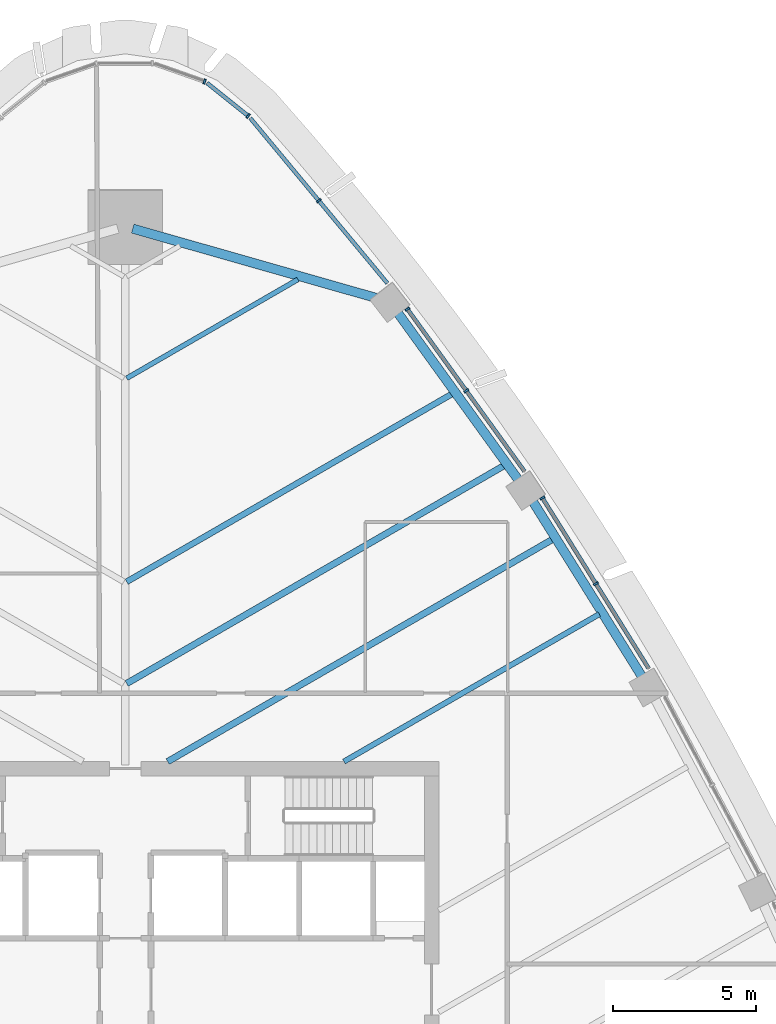
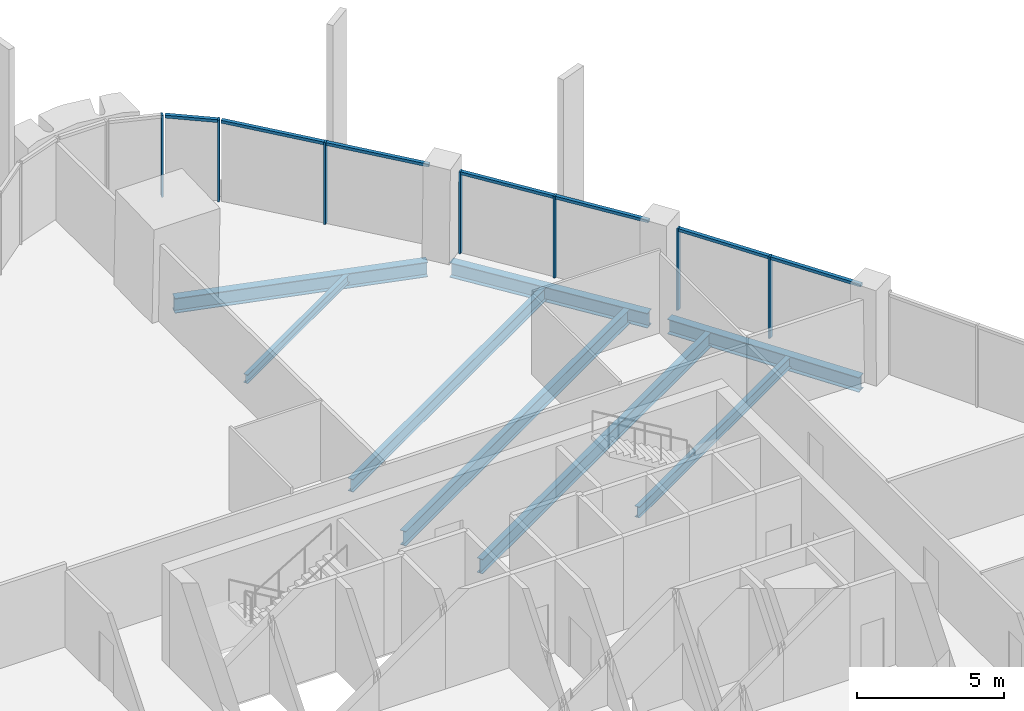
# One storey, part 7 of 19: 14 members, 8 beams, 5 elements without a shape of their own.
"""IFC4 building model written with IfcOpenShell, lengths in metres."""

from ifc_helpers import new_model, si_unit, direction, frame, origin, origin_2d, place, context, subcontext, project, spatial, rectangle, i_section, extrude, material, layer, layer_set, material_profile, profile_set, type_object, element, aggregate, save


model = new_model("IFC4")

# Units and contexts
model_context = context("Model", 3, precision=1e-05, world=origin(), true_north=direction((0.0, 1.0)))
body_context = subcontext(model_context, "Body", "Model", "MODEL_VIEW")
ifc_project = project(units=[si_unit("LENGTHUNIT", "METRE"), si_unit("AREAUNIT", "SQUARE_METRE"), si_unit("VOLUMEUNIT", "CUBIC_METRE"), si_unit("PLANEANGLEUNIT", "RADIAN"), si_unit("MASSUNIT", "GRAM", prefix="KILO")], contexts=[model_context])

# Site, building, storey
site_placement = place(None, origin())
site = spatial("IfcSite", under=ifc_project, at=site_placement, CompositionType="ELEMENT")
building_placement = place(site_placement, origin())
building = spatial("IfcBuilding", under=site, at=building_placement, Name="Sierra Prisma Convention Tower", CompositionType="ELEMENT")
storey_placement = place(building_placement, frame((0.0, 0.0, 193.800048828125)))
storey = spatial("IfcBuildingStorey", under=building, at=storey_placement, Name="L43", CompositionType="ELEMENT", Elevation=193.800048828125)

# Curtain wall, members
ifc_material_1 = material(Name="Aluminium and glass curtain wall", Category="aluminium")
ifc_layer = layer(ifc_material_1, 0.179931640625)
ifc_layer_set = layer_set([ifc_layer], Name="CW-1 Plain shaft curtain wall")
curtain_wall_type = type_object("IfcCurtainWallType", Name="CW-1 Plain shaft curtain wall", PredefinedType="NOTDEFINED", material=ifc_layer_set)
curtain_wall_1_placement = place(storey_placement, origin())
curtain_wall_1 = element("IfcCurtainWall", 1, at=curtain_wall_1_placement, inside=storey, type_object=curtain_wall_type, Name="CW-1 NE4 L43", PredefinedType="NOTDEFINED")
ifc_material_2 = material(Name="Aluminium 6063-T6 bronze anodised", Category="aluminium")
ifc_material_profile_1 = material_profile(ifc_material_2, rectangle(XDim=0.179931640625, YDim=0.070068359375, at=origin_2d()), Name="ALU MULLION 70x180")
ifc_profile_set_1 = profile_set([ifc_material_profile_1], Name="Aluminium 6063-T6 bronze anodised")
member_type_1 = type_object("IfcMemberType", Name="CW mullion bronze", PredefinedType="MULLION", material=ifc_profile_set_1)
member_1_placement = place(storey_placement, frame((16.51123046875, 14.242431640625, 0.0), z_axis=(0.0, 0.0, 1.0), x_axis=(-0.848594674851, -0.529043550017, 0.0)))
member_1 = element("IfcMember", 2, at=member_1_placement, type_object=member_type_1, Name="CW-1 mullion NE4.2", PredefinedType="MULLION", context=body_context, shape_type="SweptSolid", body=[
    extrude(rectangle(XDim=0.179931640625, YDim=0.070068359375, at=origin_2d()), origin(), (0.0, 0.0, 1.0), 3.39990234375),
])
member_2_placement = place(storey_placement, frame((14.63525390625, 17.251708984375, 0.0), z_axis=(0.0, 0.0, 1.0), x_axis=(-0.848594674851, -0.529043550017, 0.0)))
member_2 = element("IfcMember", 3, at=member_2_placement, type_object=member_type_1, Name="CW-1 mullion NE4.3", PredefinedType="MULLION", context=body_context, shape_type="SweptSolid", body=[
    extrude(rectangle(XDim=0.179931640625, YDim=0.070068359375, at=origin_2d()), origin(), (0.0, 0.0, 1.0), 3.39990234375),
])

curtain_wall_2_placement = place(storey_placement, origin())
curtain_wall_2 = element("IfcCurtainWall", 4, at=curtain_wall_2_placement, inside=storey, type_object=curtain_wall_type, Name="CW-1 NE5 L43", PredefinedType="NOTDEFINED")
member_3_placement = place(storey_placement, frame((11.966064453125, 21.0126953125, 0.0), z_axis=(0.0, 0.0, 1.0), x_axis=(-0.810833407445, -0.585277015926, 0.0)))
member_3 = element("IfcMember", 5, at=member_3_placement, type_object=member_type_1, Name="CW-1 mullion NE5.2", PredefinedType="MULLION", context=body_context, shape_type="SweptSolid", body=[
    extrude(rectangle(XDim=0.179931640625, YDim=0.070068359375, at=origin_2d()), origin(), (0.0, 0.0, 1.0), 3.39990234375),
])
member_4_placement = place(storey_placement, frame((9.899658203125, 23.87548828125, 0.0), z_axis=(0.0, 0.0, 1.0), x_axis=(-0.810833407445, -0.585277015926, 0.0)))
member_4 = element("IfcMember", 6, at=member_4_placement, type_object=member_type_1, Name="CW-1 mullion NE5.3", PredefinedType="MULLION", context=body_context, shape_type="SweptSolid", body=[
    extrude(rectangle(XDim=0.179931640625, YDim=0.070068359375, at=origin_2d()), origin(), (0.0, 0.0, 1.0), 3.39990234375),
])

# Curtain wall, member
curtain_wall_3_placement = place(storey_placement, origin())
curtain_wall_3 = element("IfcCurtainWall", 7, at=curtain_wall_3_placement, inside=storey, type_object=curtain_wall_type, Name="CW-1 NE6 L43", PredefinedType="NOTDEFINED")
member_5_placement = place(storey_placement, frame((6.790771484375, 27.6806640625, 0.0), z_axis=(0.0, 0.0, 1.0), x_axis=(-0.769351942305, -0.638825162992, 0.0)))
member_5 = element("IfcMember", 8, at=member_5_placement, type_object=member_type_1, Name="CW-1 mullion NE6.2", PredefinedType="MULLION", context=body_context, shape_type="SweptSolid", body=[
    extrude(rectangle(XDim=0.179931640625, YDim=0.070068359375, at=origin_2d()), origin(), (0.0, 0.0, 1.0), 3.39990234375),
])

curtain_wall_4_placement = place(storey_placement, origin())
curtain_wall_4 = element("IfcCurtainWall", 9, at=curtain_wall_4_placement, inside=storey, type_object=curtain_wall_type, Name="CW-1 N1 L43", PredefinedType="NOTDEFINED")
member_6_placement = place(storey_placement, frame((4.312255859375, 30.65478515625, 0.0), z_axis=(0.0, 0.0, 1.0), x_axis=(-0.625023336037, -0.780606065445, 0.0)))
member_6 = element("IfcMember", 10, at=member_6_placement, type_object=member_type_1, Name="CW-1 mullion N1.1", PredefinedType="MULLION", context=body_context, shape_type="SweptSolid", body=[
    extrude(rectangle(XDim=0.179931640625, YDim=0.070068359375, at=origin_2d()), origin(), (0.0, 0.0, 1.0), 3.39990234375),
])

curtain_wall_5_placement = place(storey_placement, origin())
curtain_wall_5 = element("IfcCurtainWall", 11, at=curtain_wall_5_placement, inside=storey, type_object=curtain_wall_type, Name="CW-1 N2 L43", PredefinedType="NOTDEFINED")
member_7_placement = place(storey_placement, frame((2.783447265625, 31.864013671875, 0.0), z_axis=(0.0, 0.0, 1.0), x_axis=(-0.331205324945, -0.943558706561, 0.0)))
member_7 = element("IfcMember", 12, at=member_7_placement, type_object=member_type_1, Name="CW-1 mullion N2.1", PredefinedType="MULLION", context=body_context, shape_type="SweptSolid", body=[
    extrude(rectangle(XDim=0.179931640625, YDim=0.070068359375, at=origin_2d()), origin(), (0.0, 0.0, 1.0), 3.39990234375),
])
aggregate(curtain_wall_5, [member_7])

# Member
ifc_material_3 = material(Name="Aluminium 6063-T6 bronze anodised", Category="aluminium")
ifc_material_profile_2 = material_profile(ifc_material_3, rectangle(XDim=0.139892578125, YDim=0.1201171875, at=origin_2d()), Name="ALU TRANSOM 120x140")
ifc_profile_set_2 = profile_set([ifc_material_profile_2], Name="Aluminium 6063-T6 bronze anodised")
member_type_2 = type_object("IfcMemberType", Name="CW transom bronze", PredefinedType="USERDEFINED", material=ifc_profile_set_2)
member_8_placement = place(storey_placement, frame((18.36865234375, 11.262939453125, 3.33984375), z_axis=(-0.529026319887, 0.848605416473, 0.0), x_axis=(-0.848605416473, -0.529026319887, 0.0)))
member_8 = element("IfcMember", 13, at=member_8_placement, type_object=member_type_2, Name="CW-1 transom NE4.1", ObjectType="TRANSOM", PredefinedType="USERDEFINED", context=body_context, shape_type="SweptSolid", body=[
    extrude(rectangle(XDim=0.139892578125, YDim=0.1201171875, at=origin_2d()), origin(), (0.0, 0.0, 1.0), 3.475830078125),
])

member_9_placement = place(storey_placement, frame((16.49267578125, 14.272216796875, 3.33984375), z_axis=(-0.529026319887, 0.848605416473, 0.0), x_axis=(-0.848605416473, -0.529026319887, 0.0)))
member_9 = element("IfcMember", 14, at=member_9_placement, type_object=member_type_2, Name="CW-1 transom NE4.2", ObjectType="TRANSOM", PredefinedType="USERDEFINED", context=body_context, shape_type="SweptSolid", body=[
    extrude(rectangle(XDim=0.139892578125, YDim=0.1201171875, at=origin_2d()), origin(), (0.0, 0.0, 1.0), 3.475830078125),
])

aggregate(curtain_wall_1, [member_1, member_2, member_8, member_9])

member_10_placement = place(storey_placement, frame((14.01220703125, 18.17822265625, 3.33984375), z_axis=(-0.585294790844, 0.81082057683, 0.0), x_axis=(-0.81082057683, -0.585294790844, 0.0)))
member_10 = element("IfcMember", 15, at=member_10_placement, type_object=member_type_2, Name="CW-1 transom NE5.1", ObjectType="TRANSOM", PredefinedType="USERDEFINED", context=body_context, shape_type="SweptSolid", body=[
    extrude(rectangle(XDim=0.139892578125, YDim=0.1201171875, at=origin_2d()), origin(), (0.0, 0.0, 1.0), 3.4609375),
])

member_11_placement = place(storey_placement, frame((11.945556640625, 21.041015625, 3.33984375), z_axis=(-0.585248410925, 0.810854054384, 0.0), x_axis=(-0.810854054384, -0.585248410925, 0.0)))
member_11 = element("IfcMember", 16, at=member_11_placement, type_object=member_type_2, Name="CW-1 transom NE5.2", ObjectType="TRANSOM", PredefinedType="USERDEFINED", context=body_context, shape_type="SweptSolid", body=[
    extrude(rectangle(XDim=0.139892578125, YDim=0.1201171875, at=origin_2d()), origin(), (0.0, 0.0, 1.0), 3.460693359375),
])

aggregate(curtain_wall_2, [member_3, member_4, member_10, member_11])

member_12_placement = place(storey_placement, frame((9.197265625, 24.782470703125, 3.33984375), z_axis=(-0.638799946581, 0.76937287985, 0.0), x_axis=(-0.76937287985, -0.638799946581, 0.0)))
member_12 = element("IfcMember", 17, at=member_12_placement, type_object=member_type_2, Name="CW-1 transom NE6.1", ObjectType="TRANSOM", PredefinedType="USERDEFINED", context=body_context, shape_type="SweptSolid", body=[
    extrude(rectangle(XDim=0.139892578125, YDim=0.1201171875, at=origin_2d()), origin(), (0.0, 0.0, 1.0), 3.73193359375),
])

member_13_placement = place(storey_placement, frame((6.7685546875, 27.707763671875, 3.33984375), z_axis=(-0.638838666919, 0.769340729228, 0.0), x_axis=(-0.769340729228, -0.638838666919, 0.0)))
member_13 = element("IfcMember", 18, at=member_13_placement, type_object=member_type_2, Name="CW-1 transom NE6.2", ObjectType="TRANSOM", PredefinedType="USERDEFINED", context=body_context, shape_type="SweptSolid", body=[
    extrude(rectangle(XDim=0.139892578125, YDim=0.1201171875, at=origin_2d()), origin(), (0.0, 0.0, 1.0), 3.732177734375),
])

aggregate(curtain_wall_3, [member_5, member_12, member_13])

member_14_placement = place(storey_placement, frame((4.284912109375, 30.676513671875, 3.33984375), z_axis=(-0.78059256964, 0.625040190886, 0.0), x_axis=(-0.625040190886, -0.78059256964, 0.0)))
member_14 = element("IfcMember", 19, at=member_14_placement, type_object=member_type_2, Name="CW-1 transom N1.1", ObjectType="TRANSOM", PredefinedType="USERDEFINED", context=body_context, shape_type="SweptSolid", body=[
    extrude(rectangle(XDim=0.139892578125, YDim=0.1201171875, at=origin_2d()), origin(), (0.0, 0.0, 1.0), 1.811279296875),
])

aggregate(curtain_wall_4, [member_6, member_14])

# Beams
ifc_material_4 = material(Name="Steel ASTM A992 Gr 50", Category="steel")
ifc_material_profile_3 = material_profile(ifc_material_4, i_section(OverallWidth=0.172119140625, OverallDepth=0.35791015625, WebThickness=0.0078125, FlangeThickness=0.01318359375, at=origin_2d()), Name="W360x57")
ifc_profile_set_3 = profile_set([ifc_material_profile_3], Name="Steel ASTM A992 Gr 50")
beam_type_1 = type_object("IfcBeamType", Name="Floor joist W360x57", PredefinedType="JOIST", material=ifc_profile_set_3)
beam_1_placement = place(storey_placement, frame((6.058349609375, 24.9169921875, -0.3291015625), z_axis=(-0.86602324089, -0.500003746224, 0.0), x_axis=(0.500003746224, -0.86602324089, 0.0)))
element("IfcBeam", 20, at=beam_1_placement, inside=storey, type_object=beam_type_1, Name="Floor joist L43 NE14", PredefinedType="JOIST", context=body_context, shape_type="SweptSolid", body=[
    extrude(i_section(OverallWidth=0.172119140625, OverallDepth=0.35791015625, WebThickness=0.0078125, FlangeThickness=0.01318359375, at=origin_2d()), origin(), (0.0, 0.0, 1.0), 6.93701171875),
])
ifc_material_5 = material(Name="Steel ASTM A992 Gr 50", Category="steel")
ifc_material_profile_4 = material_profile(ifc_material_5, i_section(OverallWidth=0.18994140625, OverallDepth=0.45703125, WebThickness=0.009033203125, FlangeThickness=0.014404296875, at=origin_2d()), Name="W460x74")
ifc_profile_set_4 = profile_set([ifc_material_profile_4], Name="Steel ASTM A992 Gr 50")
beam_type_2 = type_object("IfcBeamType", Name="Floor joist W460x74", PredefinedType="JOIST", material=ifc_profile_set_4)
beam_2_placement = place(storey_placement, frame((16.633056640625, 13.173095703125, -0.378662109375), z_axis=(-0.866016999519, -0.500014556332, 0.0), x_axis=(0.500014556332, -0.866016999519, 0.0)))
element("IfcBeam", 21, at=beam_2_placement, inside=storey, type_object=beam_type_2, Name="Floor joist L43 NE09", PredefinedType="JOIST", context=body_context, shape_type="SweptSolid", body=[
    extrude(i_section(OverallWidth=0.18994140625, OverallDepth=0.45703125, WebThickness=0.009033203125, FlangeThickness=0.014404296875, at=origin_2d()), origin(), (0.0, 0.0, 1.0), 10.345947265625),
])
ifc_material_6 = material(Name="Steel ASTM A992 Gr 50", Category="steel")
ifc_material_profile_5 = material_profile(ifc_material_6, i_section(OverallWidth=0.208984375, OverallDepth=0.532958984375, WebThickness=0.01025390625, FlangeThickness=0.015625, at=origin_2d()), Name="W530x92")
ifc_profile_set_5 = profile_set([ifc_material_profile_5], Name="Steel ASTM A992 Gr 50")
beam_type_3 = type_object("IfcBeamType", Name="Floor joist W530x92", PredefinedType="JOIST", material=ifc_profile_set_5)
beam_3_placement = place(storey_placement, frame((11.47412109375, 20.904052734375, -0.41650390625), z_axis=(-0.86602715973, -0.499996958601, 0.0), x_axis=(0.499996958601, -0.86602715973, 0.0)))
element("IfcBeam", 22, at=beam_3_placement, inside=storey, type_object=beam_type_3, Name="Floor joist L43 NE12", PredefinedType="JOIST", context=body_context, shape_type="SweptSolid", body=[
    extrude(i_section(OverallWidth=0.208984375, OverallDepth=0.532958984375, WebThickness=0.01025390625, FlangeThickness=0.015625, at=origin_2d()), origin(), (0.0, 0.0, 1.0), 13.1904296875),
])
ifc_material_7 = material(Name="Steel ASTM A992 Gr 50", Category="steel")
ifc_material_profile_6 = material_profile(ifc_material_7, i_section(OverallWidth=0.22802734375, OverallDepth=0.60302734375, WebThickness=0.010498046875, FlangeThickness=0.014892578125, at=origin_2d()), Name="W610x101")
ifc_profile_set_6 = profile_set([ifc_material_profile_6], Name="Steel ASTM A992 Gr 50")
beam_type_4 = type_object("IfcBeamType", Name="Floor joist W610x101", PredefinedType="JOIST", material=ifc_profile_set_6)
beam_4_placement = place(storey_placement, frame((14.99658203125, 15.798095703125, -0.45166015625), z_axis=(-0.86602370202, -0.50000294753, 0.0), x_axis=(0.50000294753, -0.86602370202, 0.0)))
element("IfcBeam", 23, at=beam_4_placement, inside=storey, type_object=beam_type_4, Name="Floor joist L43 NE10", PredefinedType="JOIST", context=body_context, shape_type="SweptSolid", body=[
    extrude(i_section(OverallWidth=0.22802734375, OverallDepth=0.60302734375, WebThickness=0.010498046875, FlangeThickness=0.014892578125, at=origin_2d()), origin(), (0.0, 0.0, 1.0), 15.59619140625),
])
beam_5_placement = place(storey_placement, frame((13.292724609375, 18.38427734375, -0.45166015625), z_axis=(-0.866024721046, -0.500001182536, 0.0), x_axis=(0.500001182536, -0.866024721046, 0.0)))
element("IfcBeam", 24, at=beam_5_placement, inside=storey, type_object=beam_type_4, Name="Floor joist L43 NE11", PredefinedType="JOIST", context=body_context, shape_type="SweptSolid", body=[
    extrude(i_section(OverallWidth=0.22802734375, OverallDepth=0.60302734375, WebThickness=0.010498046875, FlangeThickness=0.014892578125, at=origin_2d()), origin(), (0.0, 0.0, 1.0), 15.29052734375),
])
ifc_material_8 = material(Name="Steel ASTM A992 Gr 50", Category="steel")
ifc_material_profile_7 = material_profile(ifc_material_8, i_section(OverallWidth=0.324951171875, OverallDepth=0.615966796875, WebThickness=0.013916015625, FlangeThickness=0.021484375, at=origin_2d()), Name="W610x174")
ifc_profile_set_7 = profile_set([ifc_material_profile_7], Name="Steel ASTM A992 Gr 50")
beam_type_5 = type_object("IfcBeamType", Name="Spandrel beam W610x174", PredefinedType="BEAM", material=ifc_profile_set_7)
beam_6_placement = place(storey_placement, frame((18.166015625, 10.927001953125, -0.4580078125), z_axis=(-0.529054273291, 0.848587989494, 0.0), x_axis=(-0.848587989494, -0.529054273291, 0.0)))
element("IfcBeam", 25, at=beam_6_placement, inside=storey, type_object=beam_type_5, Name="Spandrel L43-10", PredefinedType="BEAM", context=body_context, shape_type="SweptSolid", body=[
    extrude(i_section(OverallWidth=0.324951171875, OverallDepth=0.615966796875, WebThickness=0.013916015625, FlangeThickness=0.021484375, at=origin_2d()), origin(), (0.0, 0.0, 1.0), 7.389892578125),
])
beam_7_placement = place(storey_placement, frame((13.83251953125, 17.8291015625, -0.4580078125), z_axis=(-0.585268593245, 0.810839487051, 0.0), x_axis=(-0.810839487051, -0.585268593245, 0.0)))
element("IfcBeam", 26, at=beam_7_placement, inside=storey, type_object=beam_type_5, Name="Spandrel L43-11", PredefinedType="BEAM", context=body_context, shape_type="SweptSolid", body=[
    extrude(i_section(OverallWidth=0.324951171875, OverallDepth=0.615966796875, WebThickness=0.013916015625, FlangeThickness=0.021484375, at=origin_2d()), origin(), (0.0, 0.0, 1.0), 7.39013671875),
])
beam_8_placement = place(storey_placement, frame((8.80322265625, 24.266845703125, -0.4580078125), z_axis=(-0.961755923424, 0.273907911092, 0.0), x_axis=(-0.273907911092, -0.961755923424, 0.0)))
element("IfcBeam", 27, at=beam_8_placement, inside=storey, type_object=beam_type_5, Name="Spandrel L43-12", PredefinedType="BEAM", context=body_context, shape_type="SweptSolid", body=[
    extrude(i_section(OverallWidth=0.324951171875, OverallDepth=0.615966796875, WebThickness=0.013916015625, FlangeThickness=0.021484375, at=origin_2d()), origin(), (0.0, 0.0, 1.0), 8.8828125),
])

save(model, "model.ifc")
